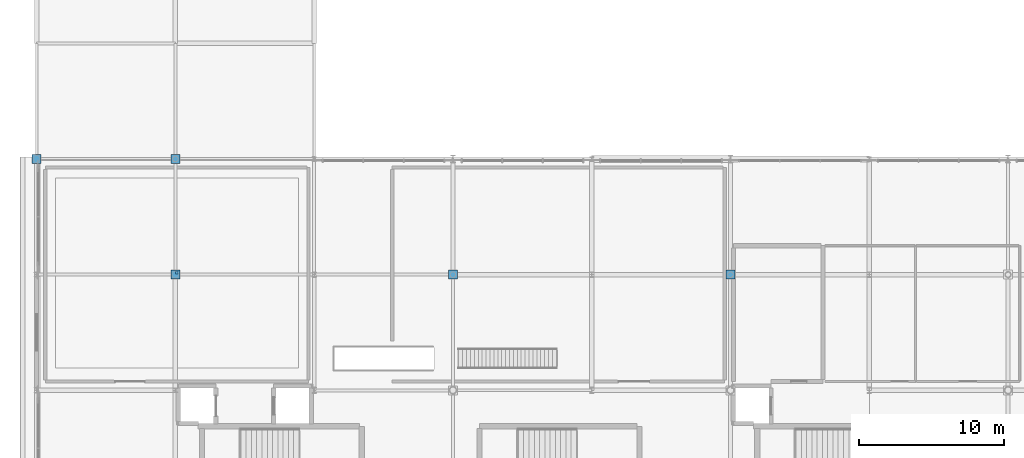
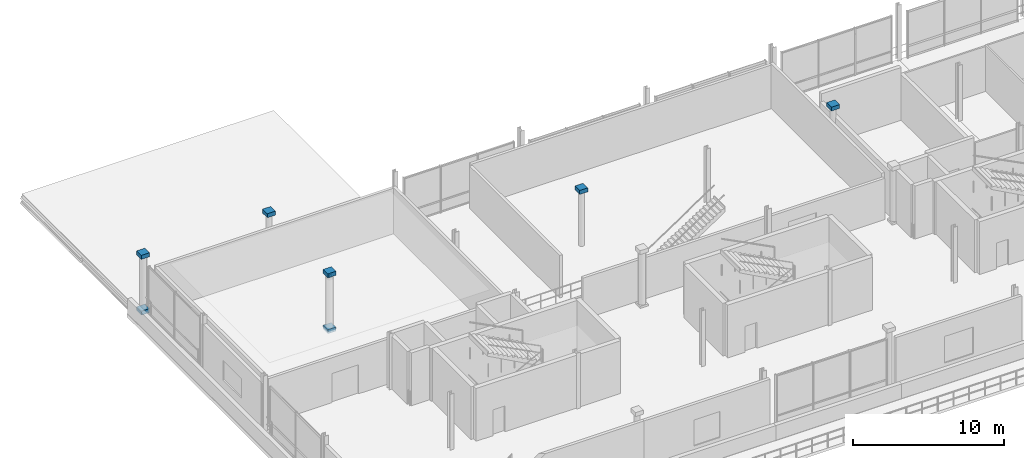
# One storey, part 27 of 36: 8 discrete accessories.
"""IFC4 building model written with IfcOpenShell, lengths in metres."""

import ifcopenshell
import ifcopenshell.guid

model = None  # the IFC model being written
_history = None  # IfcOwnerHistory: only IFC2X3 demands one
_inside = {}  # id of a spatial element -> (the spatial element, [elements in it])
_under = {}  # id of a project, library or spatial element -> (it, [spatial elements below it])
_declared = {}  # id of a project -> (the project, [libraries it declares])
_typed = {}  # id of a type object -> (the type object, [elements of that type])
_made_of = {}  # id of a material, layer set ... -> (it, [elements and type objects made of it])


def new_model(schema):
    """Start an empty IFC model of exactly this schema.

    Asked for "IFC4X3", IfcOpenShell would pick the latest addendum, in which some entities
    have other attributes; the version numbers below select the first issue.
    IFC2X3 requires an IfcOwnerHistory on every rooted entity: one is made here for all.
    """
    global model, _history
    if schema == "IFC4X3":
        model = ifcopenshell.file(schema_version=(4, 3, 0, 0))
    else:
        model = ifcopenshell.file(schema=schema)
    _inside.clear()
    _under.clear()
    _declared.clear()
    _typed.clear()
    _made_of.clear()
    _history = None
    if model.schema == "IFC2X3":
        org = make("IfcOrganization", Name="unknown")
        user = make(
            "IfcPersonAndOrganization",
            ThePerson=make("IfcPerson", FamilyName="unknown"),
            TheOrganization=org,
        )
        app = make(
            "IfcApplication",
            ApplicationDeveloper=org,
            Version="unknown",
            ApplicationFullName="unknown",
            ApplicationIdentifier="unknown",
        )
        _history = make(
            "IfcOwnerHistory",
            OwningUser=user,
            OwningApplication=app,
            ChangeAction="ADDED",
            CreationDate=0,
        )
    return model


def make(cls, **values):
    """One entity of the class cls with the attributes given. An attribute that is None is left unset."""
    return model.create_entity(
        cls, **{name: value for name, value in values.items() if value is not None}
    )


def rooted(cls, **values):
    """An entity with a GlobalId (a new one), such as an element, a storey or a relation."""
    return make(cls, GlobalId=ifcopenshell.guid.new(), OwnerHistory=_history, **values)


def si_unit(unit_type, name, prefix=None):
    """IfcSIUnit, for example si_unit("LENGTHUNIT", "METRE", prefix="MILLI")."""
    return make("IfcSIUnit", UnitType=unit_type, Prefix=prefix, Name=name)


def assignment(units):
    """IfcUnitAssignment: the units of a project."""
    return None if units is None else make("IfcUnitAssignment", Units=units)


def point(xyz):
    """IfcCartesianPoint."""
    return None if xyz is None else make("IfcCartesianPoint", Coordinates=xyz)


def direction(xyz):
    """IfcDirection."""
    return None if xyz is None else make("IfcDirection", DirectionRatios=xyz)


def frame(location, z_axis=None, x_axis=None):
    """IfcAxis2Placement3D, a coordinate frame: its origin and axes. An axis left out is left unset."""
    return make(
        "IfcAxis2Placement3D",
        Location=point(location),
        Axis=direction(z_axis),
        RefDirection=direction(x_axis),
    )


def frame_2d(location, x_axis=None):
    """IfcAxis2Placement2D, a coordinate frame in the plane: its origin and x axis."""
    return make(
        "IfcAxis2Placement2D", Location=point(location), RefDirection=direction(x_axis)
    )


def origin():
    """The frame at (0, 0, 0) with its axes left unset."""
    return frame((0.0, 0.0, 0.0))


def origin_2d():
    """The frame at (0, 0) in the plane with its x axis left unset."""
    return frame_2d((0.0, 0.0))


def place(relative_to, where):
    """IfcLocalPlacement: puts the frame where relative to a parent placement (None: the world)."""
    return make(
        "IfcLocalPlacement", PlacementRelTo=relative_to, RelativePlacement=where
    )


def context(
    kind, dimensions, precision=None, world=None, true_north=None, identifier=None
):
    """IfcGeometricRepresentationContext, for example the 3D "Model" context."""
    return make(
        "IfcGeometricRepresentationContext",
        ContextIdentifier=identifier,
        ContextType=kind,
        CoordinateSpaceDimension=dimensions,
        Precision=precision,
        WorldCoordinateSystem=world,
        TrueNorth=true_north,
    )


def subcontext(parent, identifier, kind, view, scale=None):
    """IfcGeometricRepresentationSubContext, for example "Body" below "Model"."""
    return make(
        "IfcGeometricRepresentationSubContext",
        ContextIdentifier=identifier,
        ContextType=kind,
        ParentContext=parent,
        TargetScale=scale,
        TargetView=view,
    )


def project(units=None, contexts=None):
    """IfcProject with its units and contexts."""
    return rooted(
        "IfcProject",
        Name="project",
        RepresentationContexts=contexts,
        UnitsInContext=assignment(units),
    )


def spatial(cls, under=None, at=None, **own):
    """A site, building, storey or space (cls), placed at a placement, below another one or the project."""
    s = rooted(cls, ObjectPlacement=at, **own)
    if under is not None:
        _under.setdefault(under.id(), (under, []))[1].append(s)
    return s


def profile(cls, at=None, kind="AREA", **sizes):
    """A parametric profile (cls). Its sizes go by their IFC names, for example OverallWidth=200.0."""
    return make(cls, ProfileType=kind, Position=at, **sizes)


def rectangle(**sizes):
    """IfcRectangleProfileDef."""
    return profile("IfcRectangleProfileDef", **sizes)


def extrude(swept, where, along, depth):
    """IfcExtrudedAreaSolid: the profile swept, set in the frame where, extruded along a direction by depth."""
    return make(
        "IfcExtrudedAreaSolid",
        SweptArea=swept,
        Position=where,
        ExtrudedDirection=direction(along),
        Depth=depth,
    )


def shape(context_of_items, identifier, shape_type, items):
    """IfcShapeRepresentation: the items that make up one representation, for example the "Body"."""
    return make(
        "IfcShapeRepresentation",
        ContextOfItems=context_of_items,
        RepresentationIdentifier=identifier,
        RepresentationType=shape_type,
        Items=items,
    )


def material(Name=None, Category=None):
    """IfcMaterial."""
    return make("IfcMaterial", Name=Name, Category=Category)


def made_of(thing, what):
    """Note that an element or type object is made of a material, layer set ...; save() writes the relation."""
    if what is not None:
        _made_of.setdefault(what.id(), (what, []))[1].append(thing)
    return thing


def type_object(cls, material=None, **own):
    """A type object (cls), such as IfcWallType, which elements share."""
    return made_of(rooted(cls, **own), material)


def element(
    cls,
    number,
    at=None,
    inside=None,
    cuts=None,
    type_object=None,
    material=None,
    context=None,
    identifier="Body",
    shape_type=None,
    held_by="IfcProductDefinitionShape",
    body=None,
    shapes=None,
    **own,
):
    """One element of the class cls, such as IfcWall. Its Tag is "e" and its number.

    at: its placement. inside: the storey or other place that contains it. cuts: it is an
    opening in that element (IfcRelVoidsElement). A single representation is given by context,
    identifier, shape_type and body (its items); several are given by shapes. held_by: the class
    of the entity that holds the representations. save() writes the other relations.
    """
    e = rooted(cls, Tag="e%d" % number, ObjectPlacement=at, **own)
    if body is not None:
        shapes = [shape(context, identifier, shape_type, body)]
    if shapes is not None:
        e.Representation = make(held_by, Representations=shapes)
    if inside is not None:
        _inside.setdefault(inside.id(), (inside, []))[1].append(e)
    if cuts is not None:
        rooted(
            "IfcRelVoidsElement", RelatingBuildingElement=cuts, RelatedOpeningElement=e
        )
    if type_object is not None:
        _typed.setdefault(type_object.id(), (type_object, []))[1].append(e)
    return made_of(e, material)


def aggregate(whole, parts):
    """IfcRelAggregates: a whole, such as a stair, and the parts it consists of."""
    return rooted("IfcRelAggregates", RelatingObject=whole, RelatedObjects=parts)


def save(model, path):
    """Write the relations noted so far, then the file.

    IfcRelAggregates (storeys below a building ...), IfcRelContainedInSpatialStructure (elements
    in a storey), IfcRelDefinesByType, IfcRelAssociatesMaterial and IfcRelDeclares: one each for
    every whole, place, type object, material and project.
    """
    for whole, parts in _under.values():
        aggregate(whole, parts)
    for where, things in _inside.values():
        rooted(
            "IfcRelContainedInSpatialStructure",
            RelatedElements=things,
            RelatingStructure=where,
        )
    for kind, things in _typed.values():
        rooted("IfcRelDefinesByType", RelatedObjects=things, RelatingType=kind)
    for what, things in _made_of.values():
        rooted("IfcRelAssociatesMaterial", RelatedObjects=things, RelatingMaterial=what)
    for by, libraries in _declared.values():
        rooted("IfcRelDeclares", RelatingContext=by, RelatedDefinitions=libraries)
    model.write(path)


model = new_model("IFC4")

# Units and contexts
model_context = context("Model", 3, precision=1e-05, world=origin(), true_north=direction((0.0, 1.0)))
body_context = subcontext(model_context, "Body", "Model", "MODEL_VIEW")
ifc_project = project(units=[si_unit("LENGTHUNIT", "METRE"), si_unit("AREAUNIT", "SQUARE_METRE"), si_unit("VOLUMEUNIT", "CUBIC_METRE"), si_unit("PLANEANGLEUNIT", "RADIAN"), si_unit("MASSUNIT", "GRAM", prefix="KILO")], contexts=[model_context])

# Site, building, storey
site_placement = place(None, origin())
site = spatial("IfcSite", under=ifc_project, at=site_placement, CompositionType="ELEMENT")
building_placement = place(site_placement, origin())
building = spatial("IfcBuilding", under=site, at=building_placement, Name="Danafjord Basin Convention Centre", CompositionType="ELEMENT")
storey_placement = place(building_placement, frame((0.0, 0.0, 20.39990234375)))
storey = spatial("IfcBuildingStorey", under=building, at=storey_placement, Name="L04", CompositionType="ELEMENT", Elevation=20.39990234375)

# Discrete accessories
ifc_material_1 = material(Name="Stainless steel EN 1.4404", Category="steel")
discrete_accessory_type_1 = type_object("IfcDiscreteAccessoryType", Name="ACC-FIN-BRK", PredefinedType="BRACKET", material=ifc_material_1)
discrete_accessory_placement = place(storey_placement, frame((9.699951171875, 32.1201171875, 4.01025390625), z_axis=(0.0, 0.0, 1.0), x_axis=(1.0, 0.0, 0.0)))
element("IfcDiscreteAccessory", 1, at=discrete_accessory_placement, inside=storey, type_object=discrete_accessory_type_1, Name="Suspended ceiling steel hanger assembly", PredefinedType="BRACKET", context=body_context, shape_type="SweptSolid", body=[
    extrude(rectangle(XDim=0.159912109375, YDim=0.159912109375, at=origin_2d()), origin(), (0.0, 0.0, 1.0), 0.260009765625),
])
ifc_material_2 = material(Name="Steel S355", Category="steel")
discrete_accessory_type_2 = type_object("IfcDiscreteAccessoryType", Name="ACC-SF-HUB", PredefinedType="BRACKET", material=ifc_material_2)
for number, where, z_axis, x_axis, name in (
    (2, (0.0, 40.0, -0.16015625), (0.0, 0.0, 1.0), (1.0, 0.0, 0.0), "Tubular steel column transition collar"),
    (3, (0.0, 40.0, 4.33984375), (0.0, 0.0, 1.0), (1.0, 0.0, 0.0), "Tubular steel column top cap plate"),
    (4, (9.60009765625, 32.0, -0.16015625), (0.0, 0.0, 1.0), (1.0, 0.0, 0.0), "Tubular steel column transition collar"),
    (5, (9.60009765625, 32.0, 4.33984375), (0.0, 0.0, 1.0), (1.0, 0.0, 0.0), "Tubular steel column top cap plate"),
    (6, (9.60009765625, 40.0, 4.33984375), (0.0, 0.0, 1.0), (1.0, 0.0, 0.0), "Tubular steel column top cap plate"),
    (7, (28.800048828125, 32.0, 4.33984375), (0.0, 0.0, 1.0), (1.0, 0.0, 0.0), "Tubular steel column top cap plate"),
    (8, (48.0, 32.0, 4.33984375), (0.0, 0.0, 1.0), (1.0, 0.0, 0.0), "Tubular steel column top cap plate"),
):
    element("IfcDiscreteAccessory", number, at=place(storey_placement, frame(where, z_axis=z_axis, x_axis=x_axis)), inside=storey, type_object=discrete_accessory_type_2, Name=name, PredefinedType="BRACKET", context=body_context, shape_type="SweptSolid", body=[
        extrude(rectangle(XDim=0.6201171875, YDim=0.6201171875, at=origin_2d()), origin(), (0.0, 0.0, 1.0), 0.320068359375),
    ])

save(model, "model.ifc")
